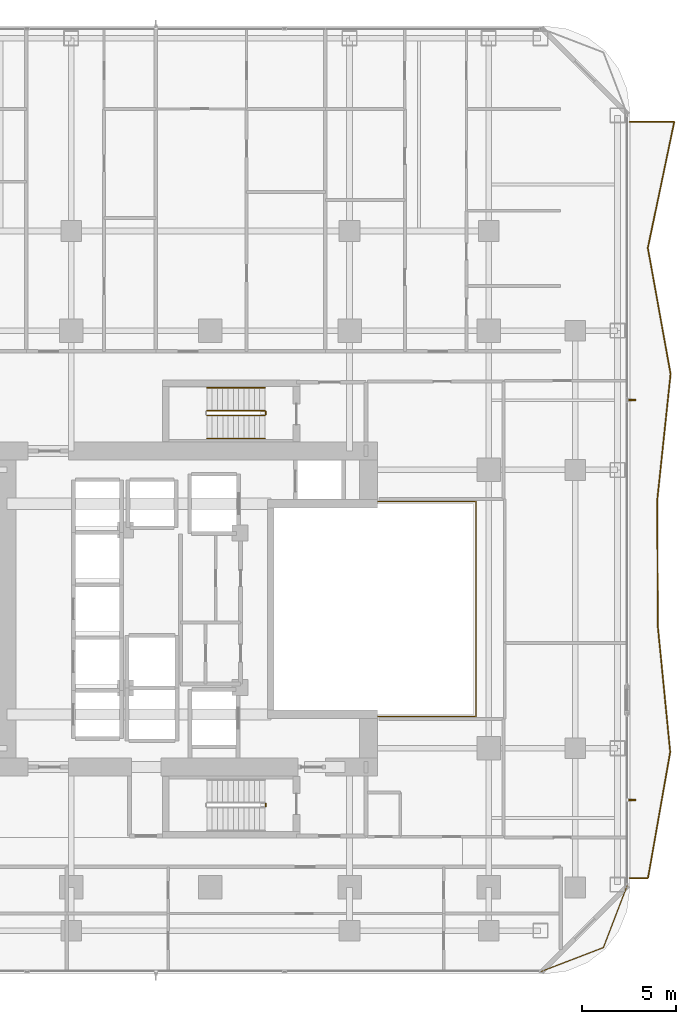
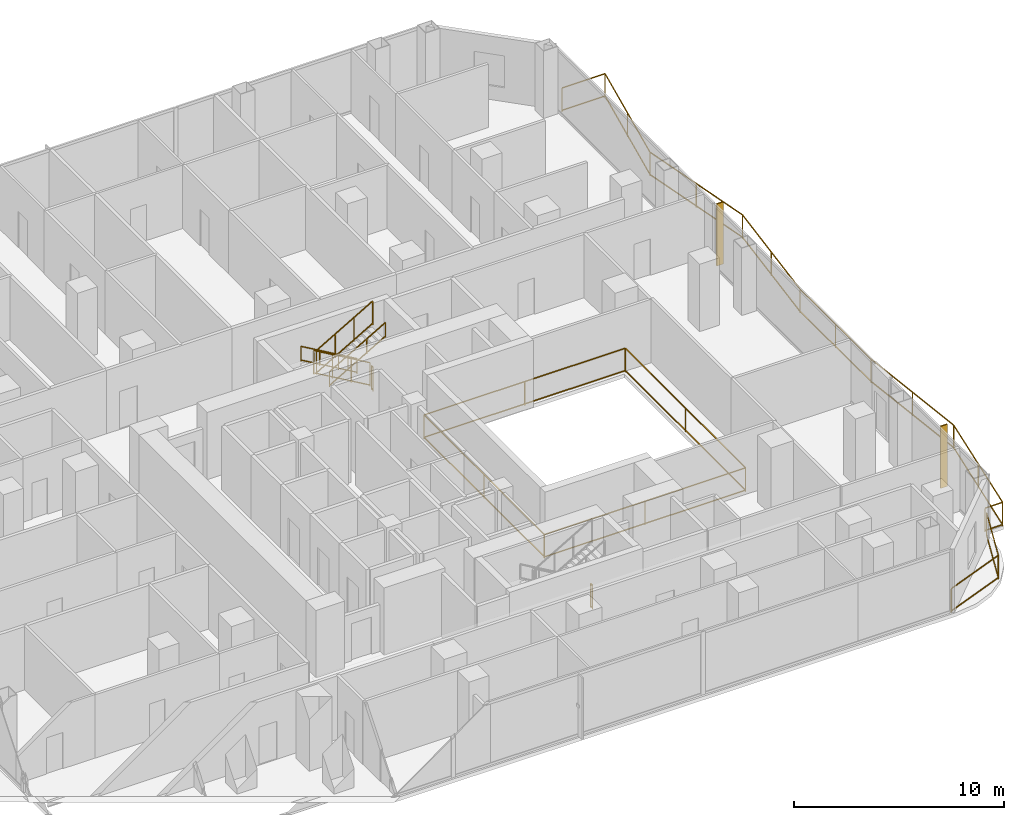
# One storey, part 27 of 28: 9 railings, 2 shading devices.
"""IFC4 building model written with IfcOpenShell, lengths in metres."""

import ifcopenshell
import ifcopenshell.guid

model = None  # the IFC model being written
_history = None  # IfcOwnerHistory: only IFC2X3 demands one
_inside = {}  # id of a spatial element -> (the spatial element, [elements in it])
_under = {}  # id of a project, library or spatial element -> (it, [spatial elements below it])
_declared = {}  # id of a project -> (the project, [libraries it declares])
_typed = {}  # id of a type object -> (the type object, [elements of that type])
_made_of = {}  # id of a material, layer set ... -> (it, [elements and type objects made of it])


def new_model(schema):
    """Start an empty IFC model of exactly this schema.

    Asked for "IFC4X3", IfcOpenShell would pick the latest addendum, in which some entities
    have other attributes; the version numbers below select the first issue.
    IFC2X3 requires an IfcOwnerHistory on every rooted entity: one is made here for all.
    """
    global model, _history
    if schema == "IFC4X3":
        model = ifcopenshell.file(schema_version=(4, 3, 0, 0))
    else:
        model = ifcopenshell.file(schema=schema)
    _inside.clear()
    _under.clear()
    _declared.clear()
    _typed.clear()
    _made_of.clear()
    _history = None
    if model.schema == "IFC2X3":
        org = make("IfcOrganization", Name="unknown")
        user = make(
            "IfcPersonAndOrganization",
            ThePerson=make("IfcPerson", FamilyName="unknown"),
            TheOrganization=org,
        )
        app = make(
            "IfcApplication",
            ApplicationDeveloper=org,
            Version="unknown",
            ApplicationFullName="unknown",
            ApplicationIdentifier="unknown",
        )
        _history = make(
            "IfcOwnerHistory",
            OwningUser=user,
            OwningApplication=app,
            ChangeAction="ADDED",
            CreationDate=0,
        )
    return model


def make(cls, **values):
    """One entity of the class cls with the attributes given. An attribute that is None is left unset."""
    return model.create_entity(
        cls, **{name: value for name, value in values.items() if value is not None}
    )


def rooted(cls, **values):
    """An entity with a GlobalId (a new one), such as an element, a storey or a relation."""
    return make(cls, GlobalId=ifcopenshell.guid.new(), OwnerHistory=_history, **values)


def si_unit(unit_type, name, prefix=None):
    """IfcSIUnit, for example si_unit("LENGTHUNIT", "METRE", prefix="MILLI")."""
    return make("IfcSIUnit", UnitType=unit_type, Prefix=prefix, Name=name)


def assignment(units):
    """IfcUnitAssignment: the units of a project."""
    return None if units is None else make("IfcUnitAssignment", Units=units)


def point(xyz):
    """IfcCartesianPoint."""
    return None if xyz is None else make("IfcCartesianPoint", Coordinates=xyz)


def direction(xyz):
    """IfcDirection."""
    return None if xyz is None else make("IfcDirection", DirectionRatios=xyz)


def frame(location, z_axis=None, x_axis=None):
    """IfcAxis2Placement3D, a coordinate frame: its origin and axes. An axis left out is left unset."""
    return make(
        "IfcAxis2Placement3D",
        Location=point(location),
        Axis=direction(z_axis),
        RefDirection=direction(x_axis),
    )


def frame_2d(location, x_axis=None):
    """IfcAxis2Placement2D, a coordinate frame in the plane: its origin and x axis."""
    return make(
        "IfcAxis2Placement2D", Location=point(location), RefDirection=direction(x_axis)
    )


def origin():
    """The frame at (0, 0, 0) with its axes left unset."""
    return frame((0.0, 0.0, 0.0))


def origin_2d():
    """The frame at (0, 0) in the plane with its x axis left unset."""
    return frame_2d((0.0, 0.0))


def place(relative_to, where):
    """IfcLocalPlacement: puts the frame where relative to a parent placement (None: the world)."""
    return make(
        "IfcLocalPlacement", PlacementRelTo=relative_to, RelativePlacement=where
    )


def context(
    kind, dimensions, precision=None, world=None, true_north=None, identifier=None
):
    """IfcGeometricRepresentationContext, for example the 3D "Model" context."""
    return make(
        "IfcGeometricRepresentationContext",
        ContextIdentifier=identifier,
        ContextType=kind,
        CoordinateSpaceDimension=dimensions,
        Precision=precision,
        WorldCoordinateSystem=world,
        TrueNorth=true_north,
    )


def subcontext(parent, identifier, kind, view, scale=None):
    """IfcGeometricRepresentationSubContext, for example "Body" below "Model"."""
    return make(
        "IfcGeometricRepresentationSubContext",
        ContextIdentifier=identifier,
        ContextType=kind,
        ParentContext=parent,
        TargetScale=scale,
        TargetView=view,
    )


def project(units=None, contexts=None):
    """IfcProject with its units and contexts."""
    return rooted(
        "IfcProject",
        Name="project",
        RepresentationContexts=contexts,
        UnitsInContext=assignment(units),
    )


def spatial(cls, under=None, at=None, **own):
    """A site, building, storey or space (cls), placed at a placement, below another one or the project."""
    s = rooted(cls, ObjectPlacement=at, **own)
    if under is not None:
        _under.setdefault(under.id(), (under, []))[1].append(s)
    return s


def profile(cls, at=None, kind="AREA", **sizes):
    """A parametric profile (cls). Its sizes go by their IFC names, for example OverallWidth=200.0."""
    return make(cls, ProfileType=kind, Position=at, **sizes)


def rectangle(**sizes):
    """IfcRectangleProfileDef."""
    return profile("IfcRectangleProfileDef", **sizes)


def extrude(swept, where, along, depth):
    """IfcExtrudedAreaSolid: the profile swept, set in the frame where, extruded along a direction by depth."""
    return make(
        "IfcExtrudedAreaSolid",
        SweptArea=swept,
        Position=where,
        ExtrudedDirection=direction(along),
        Depth=depth,
    )


def shape(context_of_items, identifier, shape_type, items):
    """IfcShapeRepresentation: the items that make up one representation, for example the "Body"."""
    return make(
        "IfcShapeRepresentation",
        ContextOfItems=context_of_items,
        RepresentationIdentifier=identifier,
        RepresentationType=shape_type,
        Items=items,
    )


def material(Name=None, Category=None):
    """IfcMaterial."""
    return make("IfcMaterial", Name=Name, Category=Category)


def layer(
    of_material, thickness, ventilated=None, Name=None, Category=None, Priority=None
):
    """IfcMaterialLayer: one layer of a wall or slab, of a material (None: an air gap)."""
    return make(
        "IfcMaterialLayer",
        Material=of_material,
        LayerThickness=thickness,
        IsVentilated=ventilated,
        Name=Name,
        Category=Category,
        Priority=Priority,
    )


def layer_set(layers, Name=None):
    """IfcMaterialLayerSet."""
    return make("IfcMaterialLayerSet", MaterialLayers=layers, LayerSetName=Name)


def made_of(thing, what):
    """Note that an element or type object is made of a material, layer set ...; save() writes the relation."""
    if what is not None:
        _made_of.setdefault(what.id(), (what, []))[1].append(thing)
    return thing


def type_object(cls, material=None, **own):
    """A type object (cls), such as IfcWallType, which elements share."""
    return made_of(rooted(cls, **own), material)


def element(
    cls,
    number,
    at=None,
    inside=None,
    cuts=None,
    type_object=None,
    material=None,
    context=None,
    identifier="Body",
    shape_type=None,
    held_by="IfcProductDefinitionShape",
    body=None,
    shapes=None,
    **own,
):
    """One element of the class cls, such as IfcWall. Its Tag is "e" and its number.

    at: its placement. inside: the storey or other place that contains it. cuts: it is an
    opening in that element (IfcRelVoidsElement). A single representation is given by context,
    identifier, shape_type and body (its items); several are given by shapes. held_by: the class
    of the entity that holds the representations. save() writes the other relations.
    """
    e = rooted(cls, Tag="e%d" % number, ObjectPlacement=at, **own)
    if body is not None:
        shapes = [shape(context, identifier, shape_type, body)]
    if shapes is not None:
        e.Representation = make(held_by, Representations=shapes)
    if inside is not None:
        _inside.setdefault(inside.id(), (inside, []))[1].append(e)
    if cuts is not None:
        rooted(
            "IfcRelVoidsElement", RelatingBuildingElement=cuts, RelatedOpeningElement=e
        )
    if type_object is not None:
        _typed.setdefault(type_object.id(), (type_object, []))[1].append(e)
    return made_of(e, material)


def aggregate(whole, parts):
    """IfcRelAggregates: a whole, such as a stair, and the parts it consists of."""
    return rooted("IfcRelAggregates", RelatingObject=whole, RelatedObjects=parts)


def save(model, path):
    """Write the relations noted so far, then the file.

    IfcRelAggregates (storeys below a building ...), IfcRelContainedInSpatialStructure (elements
    in a storey), IfcRelDefinesByType, IfcRelAssociatesMaterial and IfcRelDeclares: one each for
    every whole, place, type object, material and project.
    """
    for whole, parts in _under.values():
        aggregate(whole, parts)
    for where, things in _inside.values():
        rooted(
            "IfcRelContainedInSpatialStructure",
            RelatedElements=things,
            RelatingStructure=where,
        )
    for kind, things in _typed.values():
        rooted("IfcRelDefinesByType", RelatedObjects=things, RelatingType=kind)
    for what, things in _made_of.values():
        rooted("IfcRelAssociatesMaterial", RelatedObjects=things, RelatingMaterial=what)
    for by, libraries in _declared.values():
        rooted("IfcRelDeclares", RelatingContext=by, RelatedDefinitions=libraries)
    model.write(path)


model = new_model("IFC4")

# Units and contexts
model_context = context("Model", 3, precision=1e-05, world=origin(), true_north=direction((0.0, 1.0)))
body_context = subcontext(model_context, "Body", "Model", "MODEL_VIEW")
ifc_project = project(units=[si_unit("LENGTHUNIT", "METRE"), si_unit("AREAUNIT", "SQUARE_METRE"), si_unit("VOLUMEUNIT", "CUBIC_METRE"), si_unit("PLANEANGLEUNIT", "RADIAN"), si_unit("MASSUNIT", "GRAM", prefix="KILO")], contexts=[model_context])

# Site, building, storey
site_placement = place(None, origin())
site = spatial("IfcSite", under=ifc_project, at=site_placement, CompositionType="ELEMENT")
building_placement = place(site_placement, origin())
building = spatial("IfcBuilding", under=site, at=building_placement, Name="Khorvyn Point Tower", CompositionType="ELEMENT")
storey_placement = place(building_placement, frame((0.0, 0.0, 89.10009765625)))
storey = spatial("IfcBuildingStorey", under=building, at=storey_placement, Name="L22", CompositionType="ELEMENT", Elevation=89.10009765625)

# Shading devices
ifc_material_1 = material(Name="Bronze anodised aluminium 6063-T6", Category="aluminium")
ifc_layer = layer(ifc_material_1, 0.06494140625)
ifc_layer_set = layer_set([ifc_layer], Name="Bronze Anodised Aluminium FIN 380x65")
shading_device_type = type_object("IfcShadingDeviceType", Name="Bronze Anodised Aluminium FIN 380x65", PredefinedType="USERDEFINED", material=ifc_layer_set)
for number, where, z_axis, x_axis, name in (
    (1, (22.429931640625, 11.1201171875, 0.039794921875), (0.0, 0.0, 1.0), (1.0, 0.0, 0.0), "L22 Anodised FIN 01"),
    (2, (22.429931640625, -10.14990234375, 0.039794921875), (0.0, 0.0, 1.0), (1.0, 0.0, 0.0), "L22 Anodised FIN 01"),
):
    element("IfcShadingDevice", number, at=place(storey_placement, frame(where, z_axis=z_axis, x_axis=x_axis)), inside=storey, type_object=shading_device_type, Name=name, ObjectType="FIN", PredefinedType="USERDEFINED", context=body_context, shape_type="SweptSolid", body=[
        extrude(rectangle(XDim=0.3798828125, YDim=0.06494140625, at=origin_2d()), origin(), (0.0, 0.0, 1.0), 3.60009765625),
    ])

# Railings
ifc_material_2 = material(Name="Stainless steel 1.4401 and laminated glass", Category="steel")
railing_type_1 = type_object("IfcRailingType", Name="Crystal Atrium Smoke-Rated Perimeter Guardrail 1400", PredefinedType="GUARDRAIL", material=ifc_material_2)
railing_1_placement = place(storey_placement, frame((3.080078125, -5.719970703125, 0.0)))
element("IfcRailing", 3, at=railing_1_placement, inside=storey, type_object=railing_type_1, Name="L22 Crystal Atrium Perimeter Guardrail", PredefinedType="GUARDRAIL", context=body_context, shape_type="SweptSolid", body=[
    extrude(rectangle(XDim=0.048095703125, YDim=0.048095703125, at=origin_2d()), frame((0.0, 0.0, 1.3759765625), z_axis=(1.0, 0.0, 0.0), x_axis=(0.0, 1.0, 0.0)), (0.0, 0.0, 1.0), 11.0400390625),
    extrude(rectangle(XDim=0.048095703125, YDim=0.048095703125, at=origin_2d()), frame((0.0, 0.0, 0.080078125), z_axis=(1.0, 0.0, 0.0), x_axis=(0.0, 1.0, 0.0)), (0.0, 0.0, 1.0), 11.0400390625),
    extrude(rectangle(XDim=0.048095703125, YDim=0.048095703125, at=origin_2d()), frame((11.0400390625, 0.0, 1.3759765625), z_axis=(0.0, 1.0, 0.0), x_axis=(-1.0, 0.0, 0.0)), (0.0, 0.0, 1.0), 11.43994140625),
    extrude(rectangle(XDim=0.048095703125, YDim=0.048095703125, at=origin_2d()), frame((11.0400390625, 0.0, 0.080078125), z_axis=(0.0, 1.0, 0.0), x_axis=(-1.0, 0.0, 0.0)), (0.0, 0.0, 1.0), 11.43994140625),
    extrude(rectangle(XDim=0.048095703125, YDim=0.048095703125, at=origin_2d()), frame((11.0400390625, 11.43994140625, 1.3759765625), z_axis=(-1.0, 0.0, 0.0), x_axis=(0.0, -1.0, 0.0)), (0.0, 0.0, 1.0), 11.0400390625),
    extrude(rectangle(XDim=0.048095703125, YDim=0.048095703125, at=origin_2d()), frame((11.0400390625, 11.43994140625, 0.080078125), z_axis=(-1.0, 0.0, 0.0), x_axis=(0.0, -1.0, 0.0)), (0.0, 0.0, 1.0), 11.0400390625),
    extrude(rectangle(XDim=0.048095703125, YDim=0.048095703125, at=origin_2d()), frame((0.0, 11.43994140625, 1.3759765625), z_axis=(0.0, -1.0, 0.0), x_axis=(1.0, 0.0, 0.0)), (0.0, 0.0, 1.0), 11.409912109375),
    extrude(rectangle(XDim=0.048095703125, YDim=0.048095703125, at=origin_2d()), frame((0.0, 11.43994140625, 0.080078125), z_axis=(0.0, -1.0, 0.0), x_axis=(1.0, 0.0, 0.0)), (0.0, 0.0, 1.0), 11.409912109375),
    extrude(rectangle(XDim=0.0419921875, YDim=0.0419921875, at=origin_2d()), origin(), (0.0, 0.0, 1.0), 1.351806640625),
    extrude(rectangle(XDim=0.0419921875, YDim=0.0419921875, at=origin_2d()), frame((5.52001953125, 0.0, 0.0)), (0.0, 0.0, 1.0), 1.351806640625),
    extrude(rectangle(XDim=0.0419921875, YDim=0.0419921875, at=origin_2d()), frame((11.0400390625, 0.0, 0.0)), (0.0, 0.0, 1.0), 1.351806640625),
    extrude(rectangle(XDim=0.0419921875, YDim=0.0419921875, at=origin_2d()), frame((11.0400390625, 5.719970703125, 0.0)), (0.0, 0.0, 1.0), 1.351806640625),
    extrude(rectangle(XDim=0.0419921875, YDim=0.0419921875, at=origin_2d()), frame((11.0400390625, 11.43994140625, 0.0)), (0.0, 0.0, 1.0), 1.351806640625),
    extrude(rectangle(XDim=0.0419921875, YDim=0.0419921875, at=origin_2d()), frame((5.52001953125, 11.43994140625, 0.0)), (0.0, 0.0, 1.0), 1.351806640625),
    extrude(rectangle(XDim=0.0419921875, YDim=0.0419921875, at=origin_2d()), frame((0.0, 11.43994140625, 0.0)), (0.0, 0.0, 1.0), 1.351806640625),
    extrude(rectangle(XDim=0.0419921875, YDim=0.0419921875, at=origin_2d()), frame((0.0, 5.73486328125, 0.0)), (0.0, 0.0, 1.0), 1.351806640625),
    extrude(rectangle(XDim=0.0419921875, YDim=0.0419921875, at=origin_2d()), frame((0.0, 0.030029296875, 0.0)), (0.0, 0.0, 1.0), 1.351806640625),
])
ifc_material_3 = material(Name="Anodised aluminium 6063-T6 and laminated safety glass", Category="aluminium")
railing_type_2 = type_object("IfcRailingType", Name="Laminated Glass and Aluminium Balcony Guardrail 1400", PredefinedType="BALUSTRADE", material=ifc_material_3)
railing_2_placement = place(storey_placement, frame((17.57080078125, -19.27392578125, 0.0)))
element("IfcRailing", 4, at=railing_2_placement, inside=storey, type_object=railing_type_2, Name="L22 Rounded Corner Edge Guardrail SE", PredefinedType="BALUSTRADE", context=body_context, shape_type="SweptSolid", body=[
    extrude(rectangle(XDim=0.048095703125, YDim=0.048095703125, at=origin_2d()), frame((0.0, 0.0, 1.3759765625), z_axis=(0.933583807283, 0.358359142172, 0.0), x_axis=(-0.358359142172, 0.933583807283, 0.0)), (0.0, 0.0, 1.0), 3.56298828125),
    extrude(rectangle(XDim=0.048095703125, YDim=0.048095703125, at=origin_2d()), frame((0.0, 0.0, 0.080078125), z_axis=(0.933583807283, 0.358359142172, 0.0), x_axis=(-0.358359142172, 0.933583807283, 0.0)), (0.0, 0.0, 1.0), 3.56298828125),
    extrude(rectangle(XDim=0.048095703125, YDim=0.048095703125, at=origin_2d()), frame((3.326416015625, 1.27685546875, 1.3759765625), z_axis=(0.358382067435, 0.933575007025, 0.0), x_axis=(-0.933575007025, 0.358382067435, 0.0)), (0.0, 0.0, 1.0), 3.562744140625),
    extrude(rectangle(XDim=0.048095703125, YDim=0.048095703125, at=origin_2d()), frame((3.326416015625, 1.27685546875, 0.080078125), z_axis=(0.358382067435, 0.933575007025, 0.0), x_axis=(-0.933575007025, 0.358382067435, 0.0)), (0.0, 0.0, 1.0), 3.562744140625),
    extrude(rectangle(XDim=0.0419921875, YDim=0.0419921875, at=origin_2d()), origin(), (0.0, 0.0, 1.0), 1.351806640625),
    extrude(rectangle(XDim=0.0419921875, YDim=0.0419921875, at=origin_2d()), frame((3.326416015625, 1.27685546875, 0.0)), (0.0, 0.0, 1.0), 1.351806640625),
    extrude(rectangle(XDim=0.0419921875, YDim=0.0419921875, at=origin_2d()), frame((4.603271484375, 4.60302734375, 0.0)), (0.0, 0.0, 1.0), 1.351806640625),
])
railing_3_placement = place(storey_placement, frame((22.300048828125, -14.300048828125, 0.0)))
element("IfcRailing", 5, at=railing_3_placement, inside=storey, type_object=railing_type_2, Name="L22 East Balcony Guardrail", PredefinedType="BALUSTRADE", context=body_context, shape_type="SweptSolid", body=[
    extrude(rectangle(XDim=0.048095703125, YDim=0.048095703125, at=origin_2d()), frame((0.0, 0.0, 1.3759765625), z_axis=(1.0, 0.0, 0.0), x_axis=(0.0, 1.0, 0.0)), (0.0, 0.0, 1.0), 0.968017578125),
    extrude(rectangle(XDim=0.048095703125, YDim=0.048095703125, at=origin_2d()), frame((0.0, 0.0, 0.080078125), z_axis=(1.0, 0.0, 0.0), x_axis=(0.0, 1.0, 0.0)), (0.0, 0.0, 1.0), 0.968017578125),
    extrude(rectangle(XDim=0.048095703125, YDim=0.048095703125, at=origin_2d()), frame((0.968017578125, 0.0, 1.3759765625), z_axis=(0.173685022658, 0.984801255536, 0.0), x_axis=(-0.984801255536, 0.173685022658, 0.0)), (0.0, 0.0, 1.0), 6.803466796875),
    extrude(rectangle(XDim=0.048095703125, YDim=0.048095703125, at=origin_2d()), frame((0.968017578125, 0.0, 0.080078125), z_axis=(0.173685022658, 0.984801255536, 0.0), x_axis=(-0.984801255536, 0.173685022658, 0.0)), (0.0, 0.0, 1.0), 6.803466796875),
    extrude(rectangle(XDim=0.048095703125, YDim=0.048095703125, at=origin_2d()), frame((2.149658203125, 6.699951171875, 1.3759765625), z_axis=(-0.098232686566, 0.995163473651, 0.0), x_axis=(-0.995163473651, -0.098232686566, 0.0)), (0.0, 0.0, 1.0), 6.732666015625),
    extrude(rectangle(XDim=0.048095703125, YDim=0.048095703125, at=origin_2d()), frame((2.149658203125, 6.699951171875, 0.080078125), z_axis=(-0.098232686566, 0.995163473651, 0.0), x_axis=(-0.995163473651, -0.098232686566, 0.0)), (0.0, 0.0, 1.0), 6.732666015625),
    extrude(rectangle(XDim=0.048095703125, YDim=0.048095703125, at=origin_2d()), frame((1.48828125, 13.400146484375, 1.3759765625), z_axis=(-0.004117590718, 0.999991522687, 0.0), x_axis=(-0.999991522687, -0.004117590718, 0.0)), (0.0, 0.0, 1.0), 6.699951171875),
    extrude(rectangle(XDim=0.048095703125, YDim=0.048095703125, at=origin_2d()), frame((1.48828125, 13.400146484375, 0.080078125), z_axis=(-0.004117590718, 0.999991522687, 0.0), x_axis=(-0.999991522687, -0.004117590718, 0.0)), (0.0, 0.0, 1.0), 6.699951171875),
    extrude(rectangle(XDim=0.048095703125, YDim=0.048095703125, at=origin_2d()), frame((1.460693359375, 20.10009765625, 1.3759765625), z_axis=(0.105303466428, 0.994440133924, 0.0), x_axis=(-0.994440133924, 0.105303466428, 0.0)), (0.0, 0.0, 1.0), 6.7373046875),
    extrude(rectangle(XDim=0.048095703125, YDim=0.048095703125, at=origin_2d()), frame((1.460693359375, 20.10009765625, 0.080078125), z_axis=(0.105303466428, 0.994440133924, 0.0), x_axis=(-0.994440133924, 0.105303466428, 0.0)), (0.0, 0.0, 1.0), 6.7373046875),
    extrude(rectangle(XDim=0.048095703125, YDim=0.048095703125, at=origin_2d()), frame((2.170166015625, 26.800048828125, 1.3759765625), z_axis=(-0.177787191448, 0.984068958233, 0.0), x_axis=(-0.984068958233, -0.177787191448, 0.0)), (0.0, 0.0, 1.0), 6.808349609375),
    extrude(rectangle(XDim=0.048095703125, YDim=0.048095703125, at=origin_2d()), frame((2.170166015625, 26.800048828125, 0.080078125), z_axis=(-0.177787191448, 0.984068958233, 0.0), x_axis=(-0.984068958233, -0.177787191448, 0.0)), (0.0, 0.0, 1.0), 6.808349609375),
    extrude(rectangle(XDim=0.048095703125, YDim=0.048095703125, at=origin_2d()), frame((0.959716796875, 33.5, 1.3759765625), z_axis=(0.204935464509, 0.978775487733, 0.0), x_axis=(-0.978775487733, 0.204935464509, 0.0)), (0.0, 0.0, 1.0), 6.84521484375),
    extrude(rectangle(XDim=0.048095703125, YDim=0.048095703125, at=origin_2d()), frame((0.959716796875, 33.5, 0.080078125), z_axis=(0.204935464509, 0.978775487733, 0.0), x_axis=(-0.978775487733, 0.204935464509, 0.0)), (0.0, 0.0, 1.0), 6.84521484375),
    extrude(rectangle(XDim=0.048095703125, YDim=0.048095703125, at=origin_2d()), frame((2.362548828125, 40.199951171875, 1.3759765625), z_axis=(-1.0, 0.0, 0.0), x_axis=(0.0, -1.0, 0.0)), (0.0, 0.0, 1.0), 2.362548828125),
    extrude(rectangle(XDim=0.048095703125, YDim=0.048095703125, at=origin_2d()), frame((2.362548828125, 40.199951171875, 0.080078125), z_axis=(-1.0, 0.0, 0.0), x_axis=(0.0, -1.0, 0.0)), (0.0, 0.0, 1.0), 2.362548828125),
    extrude(rectangle(XDim=0.0419921875, YDim=0.0419921875, at=origin_2d()), origin(), (0.0, 0.0, 1.0), 1.351806640625),
    extrude(rectangle(XDim=0.0419921875, YDim=0.0419921875, at=origin_2d()), frame((0.968017578125, 0.0, 0.0)), (0.0, 0.0, 1.0), 1.351806640625),
    extrude(rectangle(XDim=0.0419921875, YDim=0.0419921875, at=origin_2d()), frame((1.558837890625, 3.35009765625, 0.0)), (0.0, 0.0, 1.0), 1.351806640625),
    extrude(rectangle(XDim=0.0419921875, YDim=0.0419921875, at=origin_2d()), frame((2.149658203125, 6.699951171875, 0.0)), (0.0, 0.0, 1.0), 1.351806640625),
    extrude(rectangle(XDim=0.0419921875, YDim=0.0419921875, at=origin_2d()), frame((1.81884765625, 10.050048828125, 0.0)), (0.0, 0.0, 1.0), 1.351806640625),
    extrude(rectangle(XDim=0.0419921875, YDim=0.0419921875, at=origin_2d()), frame((1.48828125, 13.400146484375, 0.0)), (0.0, 0.0, 1.0), 1.351806640625),
    extrude(rectangle(XDim=0.0419921875, YDim=0.0419921875, at=origin_2d()), frame((1.474609375, 16.75, 0.0)), (0.0, 0.0, 1.0), 1.351806640625),
    extrude(rectangle(XDim=0.0419921875, YDim=0.0419921875, at=origin_2d()), frame((1.460693359375, 20.10009765625, 0.0)), (0.0, 0.0, 1.0), 1.351806640625),
    extrude(rectangle(XDim=0.0419921875, YDim=0.0419921875, at=origin_2d()), frame((1.8154296875, 23.4501953125, 0.0)), (0.0, 0.0, 1.0), 1.351806640625),
    extrude(rectangle(XDim=0.0419921875, YDim=0.0419921875, at=origin_2d()), frame((2.170166015625, 26.800048828125, 0.0)), (0.0, 0.0, 1.0), 1.351806640625),
    extrude(rectangle(XDim=0.0419921875, YDim=0.0419921875, at=origin_2d()), frame((1.56494140625, 30.14990234375, 0.0)), (0.0, 0.0, 1.0), 1.351806640625),
    extrude(rectangle(XDim=0.0419921875, YDim=0.0419921875, at=origin_2d()), frame((0.959716796875, 33.5, 0.0)), (0.0, 0.0, 1.0), 1.351806640625),
    extrude(rectangle(XDim=0.0419921875, YDim=0.0419921875, at=origin_2d()), frame((1.6611328125, 36.85009765625, 0.0)), (0.0, 0.0, 1.0), 1.351806640625),
    extrude(rectangle(XDim=0.0419921875, YDim=0.0419921875, at=origin_2d()), frame((2.362548828125, 40.199951171875, 0.0)), (0.0, 0.0, 1.0), 1.351806640625),
    extrude(rectangle(XDim=0.0419921875, YDim=0.0419921875, at=origin_2d()), frame((0.0, 40.199951171875, 0.0)), (0.0, 0.0, 1.0), 1.351806640625),
])
ifc_material_4 = material(Name="Stainless steel 1.4301", Category="steel")
railing_type_3 = type_object("IfcRailingType", Name="Stainless Steel 304 Stair Pitch Handrail 900", PredefinedType="HANDRAIL", material=ifc_material_4)
railing_4_placement = place(storey_placement, frame((2.89990234375, 11.77001953125, 0.162353515625)))
element("IfcRailing", 6, at=railing_4_placement, inside=storey, type_object=railing_type_3, Name="L22 ST-02 stair handrail 1", PredefinedType="HANDRAIL", context=body_context, shape_type="SweptSolid", body=[
    extrude(rectangle(XDim=0.048095703125, YDim=0.048095703125, at=origin_2d()), frame((0.0, 0.0, 0.8759765625), z_axis=(-0.864873446163, 0.0, 0.501989962173), x_axis=(0.0, -1.0, 0.0)), (0.0, 0.0, 1.0), 3.56103515625),
    extrude(rectangle(XDim=0.048095703125, YDim=0.048095703125, at=origin_2d()), frame((0.0, 0.0, 0.080078125), z_axis=(-0.864873446163, 0.0, 0.501989962173), x_axis=(0.0, -1.0, 0.0)), (0.0, 0.0, 1.0), 3.56103515625),
    extrude(rectangle(XDim=0.0419921875, YDim=0.0419921875, at=origin_2d()), origin(), (0.0, 0.0, 1.0), 0.851806640625),
    extrude(rectangle(XDim=0.0419921875, YDim=0.0419921875, at=origin_2d()), frame((-1.026611328125, 0.0, 0.595947265625)), (0.0, 0.0, 1.0), 0.851806640625),
    extrude(rectangle(XDim=0.0419921875, YDim=0.0419921875, at=origin_2d()), frame((-2.05322265625, 0.0, 1.191650390625)), (0.0, 0.0, 1.0), 0.851806640625),
    extrude(rectangle(XDim=0.0419921875, YDim=0.0419921875, at=origin_2d()), frame((-3.079833984375, 0.0, 1.78759765625)), (0.0, 0.0, 1.0), 0.851806640625),
])
railing_5_placement = place(storey_placement, frame((-0.179931640625, 9.070068359375, 2.1123046875)))
element("IfcRailing", 7, at=railing_5_placement, inside=storey, type_object=railing_type_3, Name="L22 ST-02 stair handrail 2", PredefinedType="HANDRAIL", context=body_context, shape_type="SweptSolid", body=[
    extrude(rectangle(XDim=0.048095703125, YDim=0.048095703125, at=origin_2d()), frame((0.0, 0.0, 0.8759765625), z_axis=(0.864873446163, 0.0, 0.501989962173), x_axis=(0.0, 1.0, 0.0)), (0.0, 0.0, 1.0), 3.56103515625),
    extrude(rectangle(XDim=0.048095703125, YDim=0.048095703125, at=origin_2d()), frame((0.0, 0.0, 0.080078125), z_axis=(0.864873446163, 0.0, 0.501989962173), x_axis=(0.0, 1.0, 0.0)), (0.0, 0.0, 1.0), 3.56103515625),
    extrude(rectangle(XDim=0.0419921875, YDim=0.0419921875, at=origin_2d()), origin(), (0.0, 0.0, 1.0), 0.851806640625),
    extrude(rectangle(XDim=0.0419921875, YDim=0.0419921875, at=origin_2d()), frame((1.026611328125, 0.0, 0.595947265625)), (0.0, 0.0, 1.0), 0.851806640625),
    extrude(rectangle(XDim=0.0419921875, YDim=0.0419921875, at=origin_2d()), frame((2.05322265625, 0.0, 1.191650390625)), (0.0, 0.0, 1.0), 0.851806640625),
    extrude(rectangle(XDim=0.0419921875, YDim=0.0419921875, at=origin_2d()), frame((3.079833984375, 0.0, 1.78759765625)), (0.0, 0.0, 1.0), 0.851806640625),
])
railing_type_4 = type_object("IfcRailingType", Name="Stainless Steel 304 Stair Well Guardrail 1400", PredefinedType="GUARDRAIL", material=ifc_material_4)
railing_6_placement = place(storey_placement, frame((2.949951171875, -10.340087890625, 0.0)))
element("IfcRailing", 8, at=railing_6_placement, inside=storey, type_object=railing_type_4, Name="L22 ST-01 stair guard 4", PredefinedType="GUARDRAIL", context=body_context, shape_type="SweptSolid", body=[
    extrude(rectangle(XDim=0.048095703125, YDim=0.048095703125, at=origin_2d()), frame((0.0, 0.0, 1.3759765625), z_axis=(0.0, -1.0, 0.0), x_axis=(1.0, 0.0, 0.0)), (0.0, 0.0, 1.0), 0.159912109375),
    extrude(rectangle(XDim=0.048095703125, YDim=0.048095703125, at=origin_2d()), frame((0.0, 0.0, 0.080078125), z_axis=(0.0, -1.0, 0.0), x_axis=(1.0, 0.0, 0.0)), (0.0, 0.0, 1.0), 0.159912109375),
    extrude(rectangle(XDim=0.0419921875, YDim=0.0419921875, at=origin_2d()), origin(), (0.0, 0.0, 1.0), 1.351806640625),
    extrude(rectangle(XDim=0.0419921875, YDim=0.0419921875, at=origin_2d()), frame((0.0, -0.159912109375, 0.0)), (0.0, 0.0, 1.0), 1.351806640625),
])
railing_7_placement = place(storey_placement, frame((2.89990234375, 10.550048828125, 0.162353515625)))
element("IfcRailing", 9, at=railing_7_placement, inside=storey, type_object=railing_type_4, Name="L22 ST-02 stair guard 1", PredefinedType="GUARDRAIL", context=body_context, shape_type="SweptSolid", body=[
    extrude(rectangle(XDim=0.048095703125, YDim=0.048095703125, at=origin_2d()), frame((0.0, 0.0, 1.3759765625), z_axis=(-0.864873446163, 0.0, 0.501989962173), x_axis=(0.0, -1.0, 0.0)), (0.0, 0.0, 1.0), 3.56103515625),
    extrude(rectangle(XDim=0.048095703125, YDim=0.048095703125, at=origin_2d()), frame((0.0, 0.0, 0.080078125), z_axis=(-0.864873446163, 0.0, 0.501989962173), x_axis=(0.0, -1.0, 0.0)), (0.0, 0.0, 1.0), 3.56103515625),
    extrude(rectangle(XDim=0.0419921875, YDim=0.0419921875, at=origin_2d()), origin(), (0.0, 0.0, 1.0), 1.351806640625),
    extrude(rectangle(XDim=0.0419921875, YDim=0.0419921875, at=origin_2d()), frame((-1.026611328125, 0.0, 0.595947265625)), (0.0, 0.0, 1.0), 1.351806640625),
    extrude(rectangle(XDim=0.0419921875, YDim=0.0419921875, at=origin_2d()), frame((-2.05322265625, 0.0, 1.191650390625)), (0.0, 0.0, 1.0), 1.351806640625),
    extrude(rectangle(XDim=0.0419921875, YDim=0.0419921875, at=origin_2d()), frame((-3.079833984375, 0.0, 1.78759765625)), (0.0, 0.0, 1.0), 1.351806640625),
])
railing_8_placement = place(storey_placement, frame((-0.179931640625, 10.2900390625, 2.1123046875)))
element("IfcRailing", 10, at=railing_8_placement, inside=storey, type_object=railing_type_4, Name="L22 ST-02 stair guard 3", PredefinedType="GUARDRAIL", context=body_context, shape_type="SweptSolid", body=[
    extrude(rectangle(XDim=0.048095703125, YDim=0.048095703125, at=origin_2d()), frame((0.0, 0.0, 1.3759765625), z_axis=(0.864873446163, 0.0, 0.501989962173), x_axis=(0.0, 1.0, 0.0)), (0.0, 0.0, 1.0), 3.56103515625),
    extrude(rectangle(XDim=0.048095703125, YDim=0.048095703125, at=origin_2d()), frame((0.0, 0.0, 0.080078125), z_axis=(0.864873446163, 0.0, 0.501989962173), x_axis=(0.0, 1.0, 0.0)), (0.0, 0.0, 1.0), 3.56103515625),
    extrude(rectangle(XDim=0.0419921875, YDim=0.0419921875, at=origin_2d()), origin(), (0.0, 0.0, 1.0), 1.351806640625),
    extrude(rectangle(XDim=0.0419921875, YDim=0.0419921875, at=origin_2d()), frame((1.026611328125, 0.0, 0.595947265625)), (0.0, 0.0, 1.0), 1.351806640625),
    extrude(rectangle(XDim=0.0419921875, YDim=0.0419921875, at=origin_2d()), frame((2.05322265625, 0.0, 1.191650390625)), (0.0, 0.0, 1.0), 1.351806640625),
    extrude(rectangle(XDim=0.0419921875, YDim=0.0419921875, at=origin_2d()), frame((3.079833984375, 0.0, 1.78759765625)), (0.0, 0.0, 1.0), 1.351806640625),
])
railing_9_placement = place(storey_placement, frame((2.949951171875, 10.5, 0.0)))
element("IfcRailing", 11, at=railing_9_placement, inside=storey, type_object=railing_type_4, Name="L22 ST-02 stair guard 4", PredefinedType="GUARDRAIL", context=body_context, shape_type="SweptSolid", body=[
    extrude(rectangle(XDim=0.048095703125, YDim=0.048095703125, at=origin_2d()), frame((0.0, 0.0, 1.3759765625), z_axis=(0.0, -1.0, 0.0), x_axis=(1.0, 0.0, 0.0)), (0.0, 0.0, 1.0), 0.159912109375),
    extrude(rectangle(XDim=0.048095703125, YDim=0.048095703125, at=origin_2d()), frame((0.0, 0.0, 0.080078125), z_axis=(0.0, -1.0, 0.0), x_axis=(1.0, 0.0, 0.0)), (0.0, 0.0, 1.0), 0.159912109375),
    extrude(rectangle(XDim=0.0419921875, YDim=0.0419921875, at=origin_2d()), origin(), (0.0, 0.0, 1.0), 1.351806640625),
    extrude(rectangle(XDim=0.0419921875, YDim=0.0419921875, at=origin_2d()), frame((0.0, -0.159912109375, 0.0)), (0.0, 0.0, 1.0), 1.351806640625),
])

save(model, "model.ifc")
